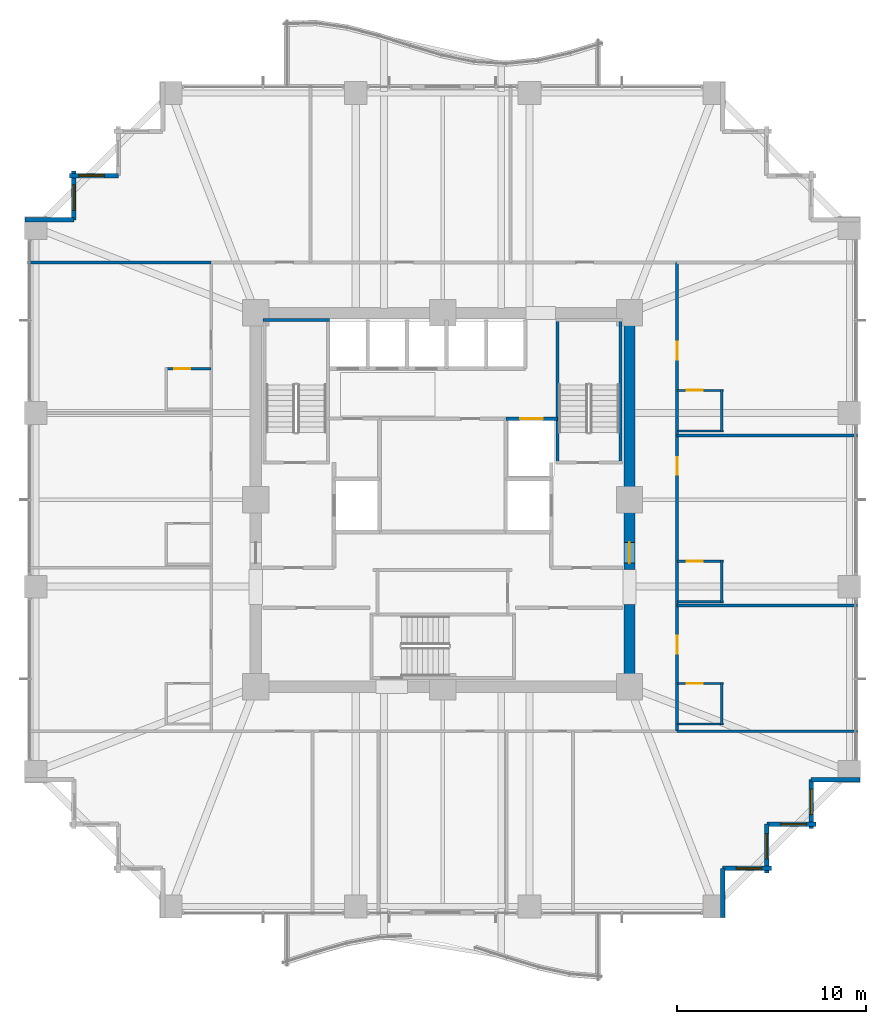
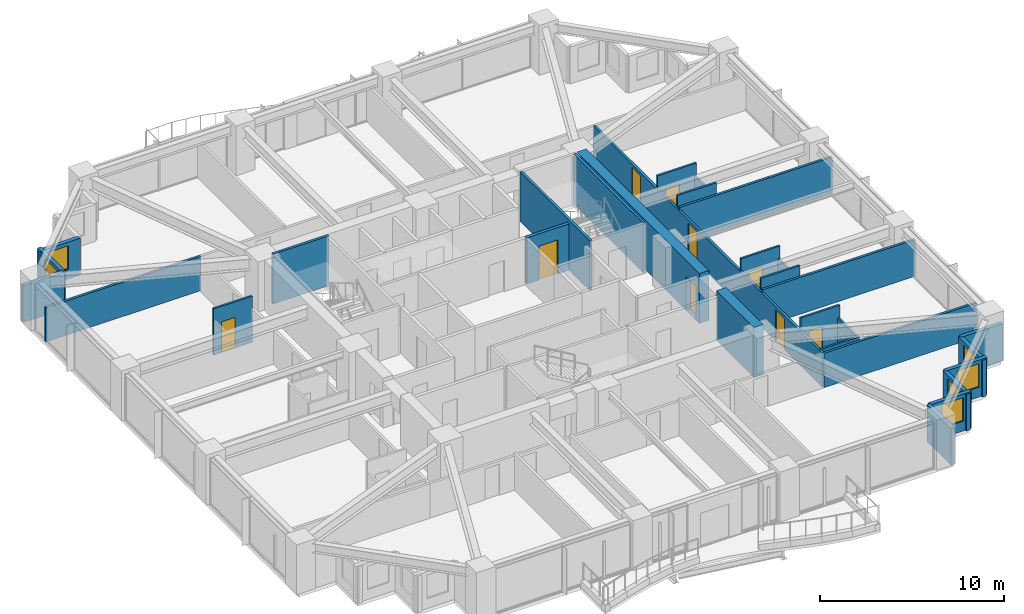
# One storey, part 34 of 38: 30 walls, 9 doors, 6 windows, 15 openings.
"""IFC4 building model written with IfcOpenShell, lengths in metres."""

from ifc_helpers import new_model, si_unit, direction, frame, frame_2d, origin, place, context, subcontext, project, spatial, rectangle, extrude, material, layer, layer_set, type_object, element, fill, save


model = new_model("IFC4")

# Units and contexts
model_context = context("Model", 3, precision=1e-05, world=origin(), true_north=direction((0.0, 1.0)))
body_context = subcontext(model_context, "Body", "Model", "MODEL_VIEW")
ifc_project = project(units=[si_unit("LENGTHUNIT", "METRE"), si_unit("AREAUNIT", "SQUARE_METRE"), si_unit("VOLUMEUNIT", "CUBIC_METRE"), si_unit("PLANEANGLEUNIT", "RADIAN"), si_unit("MASSUNIT", "GRAM", prefix="KILO")], contexts=[model_context])

# Site, building, storey
site_placement = place(None, origin())
site = spatial("IfcSite", under=ifc_project, at=site_placement, CompositionType="ELEMENT")
building_placement = place(site_placement, origin())
building = spatial("IfcBuilding", under=site, at=building_placement, Name="Kolvaren Belvedere", CompositionType="ELEMENT")
storey_placement = place(building_placement, frame((0.0, 0.0, 27.10009765625)))
storey = spatial("IfcBuildingStorey", under=building, at=storey_placement, Name="L07", CompositionType="ELEMENT", Elevation=27.10009765625)

# Wall
ifc_material_1 = material(Name="Concrete C60/75", Category="concrete")
ifc_layer_1 = layer(ifc_material_1, 0.60009765625)
ifc_layer_set_1 = layer_set([ifc_layer_1], Name="Concrete C60/75")
wall_type_1 = type_object("IfcWallType", Name="CW-CORE-600", PredefinedType="SHEAR", material=ifc_layer_set_1)
wall_1_placement = place(storey_placement, frame((9.89990234375, -9.60009765625, 0.0), z_axis=(0.0, 0.0, 1.0), x_axis=(0.0, 1.0, 0.0)))
element("IfcWall", 1, at=wall_1_placement, inside=storey, type_object=wall_type_1, Name="L07 East Core Shear Wall 1", PredefinedType="SHEAR", context=body_context, shape_type="SweptSolid", body=[
    extrude(rectangle(XDim=4.050048828125, YDim=0.60009765625, at=frame_2d((2.02490234375, 0.0))), origin(), (0.0, 0.0, 1.0), 3.2998046875),
])

# Wall, opening, door
wall_2_placement = place(storey_placement, frame((9.89990234375, -3.699951171875, 0.0), z_axis=(0.0, 0.0, 1.0), x_axis=(0.0, 1.0, 0.0)))
wall_2 = element("IfcWall", 2, at=wall_2_placement, inside=storey, type_object=wall_type_1, Name="L07 East Core Shear Wall 2", PredefinedType="SHEAR", context=body_context, shape_type="SweptSolid", body=[
    extrude(rectangle(XDim=13.300048828125, YDim=0.60009765625, at=frame_2d((6.64990234375, 0.0))), origin(), (0.0, 0.0, 1.0), 3.2998046875),
])
opening_1_placement = place(wall_2_placement, frame((0.35009765625, 0.0, 0.0)))
opening_1 = element("IfcOpeningElement", 3, at=opening_1_placement, cuts=wall_2, Name="Opening D-FD90", PredefinedType="OPENING", context=body_context, shape_type="SweptSolid", body=[
    extrude(rectangle(XDim=1.10009765625, YDim=2.199951171875, at=frame_2d((0.550048828125, 1.10009765625))), frame((0.0, 0.31005859375, 0.0), z_axis=(0.0, -1.0, 0.0), x_axis=(1.0, 0.0, 0.0)), (0.0, 0.0, 1.0), 0.6201171875),
])
ifc_material_2 = material(Name="Painted hollow stainless steel", Category="steel")
door_type_1 = type_object("IfcDoorType", Name="DR-FD90-1100", OperationType="NOTDEFINED", PredefinedType="DOOR", material=ifc_material_2)
door_1_placement = place(opening_1_placement, origin())
door_1 = element("IfcDoor", 4, at=door_1_placement, inside=storey, type_object=door_type_1, Name="L07 East Firefighting Lobby Fire Door", OperationType="SINGLE_SWING_RIGHT", OverallHeight=2.199951171875, OverallWidth=1.10009765625, PredefinedType="DOOR", context=body_context, shape_type="SweptSolid", body=[
    extrude(rectangle(XDim=1.10009765625, YDim=2.199951171875, at=frame_2d((0.550048828125, 1.10009765625))), frame((0.0, 0.02490234375, 0.0), z_axis=(0.0, -1.0, 0.0), x_axis=(1.0, 0.0, 0.0)), (0.0, 0.0, 1.0), 0.050048828125),
])
fill(opening_1, door_1)

# Walls
ifc_material_3 = material(Name="Concrete C50/60", Category="concrete")
ifc_layer_2 = layer(ifc_material_3, 0.159912109375)
ifc_layer_set_2 = layer_set([ifc_layer_2], Name="Concrete C50/60")
wall_type_2 = type_object("IfcWallType", Name="CW-STAIR-160", PredefinedType="SHEAR", material=ifc_layer_set_2)
wall_3_placement = place(storey_placement, frame((-9.52001953125, 9.530029296875, 0.0), z_axis=(0.0, 0.0, 1.0), x_axis=(1.0, 0.0, 0.0)))
element("IfcWall", 5, at=wall_3_placement, inside=storey, type_object=wall_type_2, Name="L07 Stair ST-1 North Shear Wall", PredefinedType="SHEAR", context=body_context, shape_type="SweptSolid", body=[
    extrude(rectangle(XDim=3.52001953125, YDim=0.159912109375, at=frame_2d((1.760009765625, 0.0))), origin(), (0.0, 0.0, 1.0), 3.2998046875),
])
for number, where, z_axis, x_axis, name in (
    (6, (6.080078125, 1.969970703125, 0.0), (0.0, 0.0, 1.0), (0.0, 1.0, 0.0), "L07 Stair ST-2 West Shear Wall"),
    (7, (9.429931640625, 1.969970703125, 0.0), (0.0, 0.0, 1.0), (0.0, 1.0, 0.0), "L07 Stair ST-2 East Shear Wall"),
):
    element("IfcWall", number, at=place(storey_placement, frame(where, z_axis=z_axis, x_axis=x_axis)), inside=storey, type_object=wall_type_2, Name=name, PredefinedType="SHEAR", context=body_context, shape_type="SweptSolid", body=[
        extrude(rectangle(XDim=7.56005859375, YDim=0.159912109375, at=frame_2d((3.780029296875, 0.0))), origin(), (0.0, 0.0, 1.0), 3.2998046875),
    ])

# Wall, openings, doors
ifc_material_4 = material(Name="Gypsum fire-rated partition assembly", Category="gypsum")
ifc_layer_3 = layer(ifc_material_4, 0.14990234375)
ifc_layer_set_3 = layer_set([ifc_layer_3], Name="Gypsum fire-rated partition assembly")
wall_type_3 = type_object("IfcWallType", Name="WL-CORR-150", PredefinedType="PARTITIONING", material=ifc_layer_set_3)
wall_4_placement = place(storey_placement, frame((12.419921875, -12.260009765625, 0.0), z_axis=(0.0, 0.0, 1.0), x_axis=(0.0, 1.0, 0.0)))
wall_4 = element("IfcWall", 8, at=wall_4_placement, inside=storey, type_object=wall_type_3, Name="L07 East Corridor Wall", PredefinedType="PARTITIONING", context=body_context, shape_type="SweptSolid", body=[
    extrude(rectangle(XDim=24.840087890625, YDim=0.14990234375, at=frame_2d((12.419921875, 0.0))), origin(), (0.0, 0.0, 1.0), 2.27197265625),
])
opening_2_placement = place(wall_4_placement, frame((4.098876953125, 0.0, 0.0)))
opening_2 = element("IfcOpeningElement", 9, at=opening_2_placement, cuts=wall_4, Name="Opening D-FD60", PredefinedType="OPENING", context=body_context, shape_type="SweptSolid", body=[
    extrude(rectangle(XDim=0.949951171875, YDim=2.06005859375, at=frame_2d((0.47509765625, 1.030029296875))), frame((0.0, 0.0849609375, 0.0), z_axis=(0.0, -1.0, 0.0), x_axis=(1.0, 0.0, 0.0)), (0.0, 0.0, 1.0), 0.169921875),
])
opening_3_placement = place(wall_4_placement, frame((13.576904296875, 0.0, 0.0)))
opening_3 = element("IfcOpeningElement", 10, at=opening_3_placement, cuts=wall_4, Name="Opening D-FD60", PredefinedType="OPENING", context=body_context, shape_type="SweptSolid", body=[
    extrude(rectangle(XDim=0.949951171875, YDim=2.06005859375, at=frame_2d((0.47509765625, 1.030029296875))), frame((0.0, 0.0849609375, 0.0), z_axis=(0.0, -1.0, 0.0), x_axis=(1.0, 0.0, 0.0)), (0.0, 0.0, 1.0), 0.169921875),
])
opening_4_placement = place(wall_4_placement, frame((19.69189453125, 0.0, 0.0)))
opening_4 = element("IfcOpeningElement", 11, at=opening_4_placement, cuts=wall_4, Name="Opening D-FD60", PredefinedType="OPENING", context=body_context, shape_type="SweptSolid", body=[
    extrude(rectangle(XDim=0.949951171875, YDim=2.06005859375, at=frame_2d((0.47509765625, 1.030029296875))), frame((0.0, 0.0849609375, 0.0), z_axis=(0.0, -1.0, 0.0), x_axis=(1.0, 0.0, 0.0)), (0.0, 0.0, 1.0), 0.169921875),
])
ifc_material_5 = material(Name="Acoustic white-oak fire door leaf", Category="timber")
door_type_2 = type_object("IfcDoorType", Name="DR-FD60-950", OperationType="NOTDEFINED", PredefinedType="DOOR", material=ifc_material_5)
door_2_placement = place(opening_2_placement, origin())
door_2 = element("IfcDoor", 12, at=door_2_placement, inside=storey, type_object=door_type_2, Name="L07 Panoramic Corner Hospitality Suite 706 Entry Door", OperationType="SINGLE_SWING_LEFT", OverallHeight=2.06005859375, OverallWidth=0.949951171875, PredefinedType="DOOR", context=body_context, shape_type="SweptSolid", body=[
    extrude(rectangle(XDim=0.949951171875, YDim=2.06005859375, at=frame_2d((0.47509765625, 1.030029296875))), frame((0.0, 0.02490234375, 0.0), z_axis=(0.0, -1.0, 0.0), x_axis=(1.0, 0.0, 0.0)), (0.0, 0.0, 1.0), 0.050048828125),
])
fill(opening_2, door_2)
door_3_placement = place(opening_3_placement, origin())
door_3 = element("IfcDoor", 13, at=door_3_placement, inside=storey, type_object=door_type_2, Name="L07 Panoramic Corner Hospitality Suite 707 Entry Door", OperationType="SINGLE_SWING_LEFT", OverallHeight=2.06005859375, OverallWidth=0.949951171875, PredefinedType="DOOR", context=body_context, shape_type="SweptSolid", body=[
    extrude(rectangle(XDim=0.949951171875, YDim=2.06005859375, at=frame_2d((0.47509765625, 1.030029296875))), frame((0.0, 0.02490234375, 0.0), z_axis=(0.0, -1.0, 0.0), x_axis=(1.0, 0.0, 0.0)), (0.0, 0.0, 1.0), 0.050048828125),
])
fill(opening_3, door_3)
door_4_placement = place(opening_4_placement, origin())
door_4 = element("IfcDoor", 14, at=door_4_placement, inside=storey, type_object=door_type_2, Name="L07 Panoramic Corner Hospitality Suite 708 Entry Door", OperationType="SINGLE_SWING_LEFT", OverallHeight=2.06005859375, OverallWidth=0.949951171875, PredefinedType="DOOR", context=body_context, shape_type="SweptSolid", body=[
    extrude(rectangle(XDim=0.949951171875, YDim=2.06005859375, at=frame_2d((0.47509765625, 1.030029296875))), frame((0.0, 0.02490234375, 0.0), z_axis=(0.0, -1.0, 0.0), x_axis=(1.0, 0.0, 0.0)), (0.0, 0.0, 1.0), 0.050048828125),
])
fill(opening_4, door_4)

# Wall
ifc_material_6 = material(Name="Insulated pale-metal facade wall assembly", Category="aluminium")
ifc_layer_4 = layer(ifc_material_6, 0.239990234375)
ifc_layer_set_4 = layer_set([ifc_layer_4], Name="Insulated pale-metal facade wall assembly")
wall_type_4 = type_object("IfcWallType", Name="WL-EXT-240", PredefinedType="STANDARD", material=ifc_layer_set_4)
wall_5_placement = place(storey_placement, frame((14.830078125, -19.530029296875, 0.0), z_axis=(0.0, 0.0, 1.0), x_axis=(0.0, -1.0, 0.0)))
element("IfcWall", 15, at=wall_5_placement, inside=storey, type_object=wall_type_4, Name="L07 Serrated Corner Facade Wall 2", PredefinedType="STANDARD", context=body_context, shape_type="SweptSolid", body=[
    extrude(rectangle(XDim=2.590087890625, YDim=0.239990234375, at=frame_2d((1.294921875, 0.0))), origin(), (0.0, 0.0, 1.0), 2.43896484375),
])

# Wall, opening, window
wall_6_placement = place(storey_placement, frame((17.419921875, -19.530029296875, 0.0), z_axis=(0.0, 0.0, 1.0), x_axis=(-1.0, 0.0, 0.0)))
wall_6 = element("IfcWall", 16, at=wall_6_placement, inside=storey, type_object=wall_type_4, Name="L07 Serrated Corner Facade Wall 3", PredefinedType="STANDARD", context=body_context, shape_type="SweptSolid", body=[
    extrude(rectangle(XDim=2.58984375, YDim=0.239990234375, at=frame_2d((1.294921875, 0.0))), origin(), (0.0, 0.0, 1.0), 2.43896484375),
])
opening_5_placement = place(wall_6_placement, frame((0.5, 0.0, 0.64990234375)))
opening_5 = element("IfcOpeningElement", 17, at=opening_5_placement, cuts=wall_6, Name="Opening W-1350", PredefinedType="OPENING", context=body_context, shape_type="SweptSolid", body=[
    extrude(rectangle(XDim=1.35009765625, YDim=1.550048828125, at=frame_2d((0.675048828125, 0.77490234375))), frame((0.0, 0.1298828125, 0.0), z_axis=(0.0, -1.0, 0.0), x_axis=(1.0, 0.0, 0.0)), (0.0, 0.0, 1.0), 0.260009765625),
])
ifc_material_7 = material(Name="Low-iron triple insulated glass", Category="glass")
window_type = type_object("IfcWindowType", Name="WN-CORN-1350", PartitioningType="SINGLE_PANEL", PredefinedType="WINDOW", material=ifc_material_7)
window_1_placement = place(opening_5_placement, origin())
window_1 = element("IfcWindow", 18, at=window_1_placement, inside=storey, type_object=window_type, Name="L07 Serrated Corner Vision Window 3", OverallHeight=1.550048828125, OverallWidth=1.35009765625, PartitioningType="SINGLE_PANEL", PredefinedType="WINDOW", context=body_context, shape_type="SweptSolid", body=[
    extrude(rectangle(XDim=1.35009765625, YDim=1.550048828125, at=frame_2d((0.675048828125, 0.77490234375))), frame((0.0, 0.030029296875, 0.0), z_axis=(0.0, -1.0, 0.0), x_axis=(1.0, 0.0, 0.0)), (0.0, 0.0, 1.0), 0.06005859375),
])
fill(opening_5, window_1)

wall_7_placement = place(storey_placement, frame((17.179931640625, -17.179931640625, 0.0), z_axis=(0.0, 0.0, 1.0), x_axis=(0.0, -1.0, 0.0)))
wall_7 = element("IfcWall", 19, at=wall_7_placement, inside=storey, type_object=wall_type_4, Name="L07 Serrated Corner Facade Wall 4", PredefinedType="STANDARD", context=body_context, shape_type="SweptSolid", body=[
    extrude(rectangle(XDim=2.590087890625, YDim=0.239990234375, at=frame_2d((1.294921875, 0.0))), origin(), (0.0, 0.0, 1.0), 2.43896484375),
])
opening_6_placement = place(wall_7_placement, frame((0.5, 0.0, 0.64990234375)))
opening_6 = element("IfcOpeningElement", 20, at=opening_6_placement, cuts=wall_7, Name="Opening W-1350", PredefinedType="OPENING", context=body_context, shape_type="SweptSolid", body=[
    extrude(rectangle(XDim=1.35009765625, YDim=1.550048828125, at=frame_2d((0.675048828125, 0.77490234375))), frame((0.0, 0.1298828125, 0.0), z_axis=(0.0, -1.0, 0.0), x_axis=(1.0, 0.0, 0.0)), (0.0, 0.0, 1.0), 0.260009765625),
])
window_2_placement = place(opening_6_placement, origin())
window_2 = element("IfcWindow", 21, at=window_2_placement, inside=storey, type_object=window_type, Name="L07 Serrated Corner Vision Window 4", OverallHeight=1.550048828125, OverallWidth=1.35009765625, PartitioningType="SINGLE_PANEL", PredefinedType="WINDOW", context=body_context, shape_type="SweptSolid", body=[
    extrude(rectangle(XDim=1.35009765625, YDim=1.550048828125, at=frame_2d((0.675048828125, 0.77490234375))), frame((0.0, 0.030029296875, 0.0), z_axis=(0.0, -1.0, 0.0), x_axis=(1.0, 0.0, 0.0)), (0.0, 0.0, 1.0), 0.06005859375),
])
fill(opening_6, window_2)

wall_8_placement = place(storey_placement, frame((19.77001953125, -17.179931640625, 0.0), z_axis=(0.0, 0.0, 1.0), x_axis=(-1.0, 0.0, 0.0)))
wall_8 = element("IfcWall", 22, at=wall_8_placement, inside=storey, type_object=wall_type_4, Name="L07 Serrated Corner Facade Wall 5", PredefinedType="STANDARD", context=body_context, shape_type="SweptSolid", body=[
    extrude(rectangle(XDim=2.590087890625, YDim=0.239990234375, at=frame_2d((1.294921875, 0.0))), origin(), (0.0, 0.0, 1.0), 2.43896484375),
])
opening_7_placement = place(wall_8_placement, frame((0.5, 0.0, 0.64990234375)))
opening_7 = element("IfcOpeningElement", 23, at=opening_7_placement, cuts=wall_8, Name="Opening W-1350", PredefinedType="OPENING", context=body_context, shape_type="SweptSolid", body=[
    extrude(rectangle(XDim=1.35009765625, YDim=1.550048828125, at=frame_2d((0.675048828125, 0.77490234375))), frame((0.0, 0.1298828125, 0.0), z_axis=(0.0, -1.0, 0.0), x_axis=(1.0, 0.0, 0.0)), (0.0, 0.0, 1.0), 0.260009765625),
])
window_3_placement = place(opening_7_placement, origin())
window_3 = element("IfcWindow", 24, at=window_3_placement, inside=storey, type_object=window_type, Name="L07 Serrated Corner Vision Window 5", OverallHeight=1.550048828125, OverallWidth=1.35009765625, PartitioningType="SINGLE_PANEL", PredefinedType="WINDOW", context=body_context, shape_type="SweptSolid", body=[
    extrude(rectangle(XDim=1.35009765625, YDim=1.550048828125, at=frame_2d((0.675048828125, 0.77490234375))), frame((0.0, 0.030029296875, 0.0), z_axis=(0.0, -1.0, 0.0), x_axis=(1.0, 0.0, 0.0)), (0.0, 0.0, 1.0), 0.06005859375),
])
fill(opening_7, window_3)

wall_9_placement = place(storey_placement, frame((19.530029296875, -14.830078125, 0.0), z_axis=(0.0, 0.0, 1.0), x_axis=(0.0, -1.0, 0.0)))
wall_9 = element("IfcWall", 25, at=wall_9_placement, inside=storey, type_object=wall_type_4, Name="L07 Serrated Corner Facade Wall 6", PredefinedType="STANDARD", context=body_context, shape_type="SweptSolid", body=[
    extrude(rectangle(XDim=2.58984375, YDim=0.239990234375, at=frame_2d((1.294921875, 0.0))), origin(), (0.0, 0.0, 1.0), 2.43896484375),
])
opening_8_placement = place(wall_9_placement, frame((0.5, 0.0, 0.64990234375)))
opening_8 = element("IfcOpeningElement", 26, at=opening_8_placement, cuts=wall_9, Name="Opening W-1350", PredefinedType="OPENING", context=body_context, shape_type="SweptSolid", body=[
    extrude(rectangle(XDim=1.35009765625, YDim=1.550048828125, at=frame_2d((0.675048828125, 0.77490234375))), frame((0.0, 0.1298828125, 0.0), z_axis=(0.0, -1.0, 0.0), x_axis=(1.0, 0.0, 0.0)), (0.0, 0.0, 1.0), 0.260009765625),
])
window_4_placement = place(opening_8_placement, origin())
window_4 = element("IfcWindow", 27, at=window_4_placement, inside=storey, type_object=window_type, Name="L07 Serrated Corner Vision Window 6", OverallHeight=1.550048828125, OverallWidth=1.35009765625, PartitioningType="SINGLE_PANEL", PredefinedType="WINDOW", context=body_context, shape_type="SweptSolid", body=[
    extrude(rectangle(XDim=1.35009765625, YDim=1.550048828125, at=frame_2d((0.675048828125, 0.77490234375))), frame((0.0, 0.030029296875, 0.0), z_axis=(0.0, -1.0, 0.0), x_axis=(1.0, 0.0, 0.0)), (0.0, 0.0, 1.0), 0.06005859375),
])
fill(opening_8, window_4)

# Wall
wall_10_placement = place(storey_placement, frame((22.1201171875, -14.830078125, 0.0), z_axis=(0.0, 0.0, 1.0), x_axis=(-1.0, 0.0, 0.0)))
element("IfcWall", 28, at=wall_10_placement, inside=storey, type_object=wall_type_4, Name="L07 Serrated Corner Facade Wall 7", PredefinedType="STANDARD", context=body_context, shape_type="SweptSolid", body=[
    extrude(rectangle(XDim=2.590087890625, YDim=0.239990234375, at=frame_2d((1.294921875, 0.0))), origin(), (0.0, 0.0, 1.0), 2.43896484375),
])

# Wall, opening, window
wall_11_placement = place(storey_placement, frame((-19.77001953125, 17.179931640625, 0.0), z_axis=(0.0, 0.0, 1.0), x_axis=(1.0, 0.0, 0.0)))
wall_11 = element("IfcWall", 29, at=wall_11_placement, inside=storey, type_object=wall_type_4, Name="L07 Serrated Corner Facade Wall 19", PredefinedType="STANDARD", context=body_context, shape_type="SweptSolid", body=[
    extrude(rectangle(XDim=2.590087890625, YDim=0.239990234375, at=frame_2d((1.294921875, 0.0))), origin(), (0.0, 0.0, 1.0), 2.43896484375),
])
opening_9_placement = place(wall_11_placement, frame((0.5, 0.0, 0.64990234375)))
opening_9 = element("IfcOpeningElement", 30, at=opening_9_placement, cuts=wall_11, Name="Opening W-1350", PredefinedType="OPENING", context=body_context, shape_type="SweptSolid", body=[
    extrude(rectangle(XDim=1.35009765625, YDim=1.550048828125, at=frame_2d((0.675048828125, 0.77490234375))), frame((0.0, 0.1298828125, 0.0), z_axis=(0.0, -1.0, 0.0), x_axis=(1.0, 0.0, 0.0)), (0.0, 0.0, 1.0), 0.260009765625),
])
window_5_placement = place(opening_9_placement, origin())
window_5 = element("IfcWindow", 31, at=window_5_placement, inside=storey, type_object=window_type, Name="L07 Serrated Corner Vision Window 19", OverallHeight=1.550048828125, OverallWidth=1.35009765625, PartitioningType="SINGLE_PANEL", PredefinedType="WINDOW", context=body_context, shape_type="SweptSolid", body=[
    extrude(rectangle(XDim=1.35009765625, YDim=1.550048828125, at=frame_2d((0.675048828125, 0.77490234375))), frame((0.0, 0.030029296875, 0.0), z_axis=(0.0, -1.0, 0.0), x_axis=(1.0, 0.0, 0.0)), (0.0, 0.0, 1.0), 0.06005859375),
])
fill(opening_9, window_5)

wall_12_placement = place(storey_placement, frame((-19.530029296875, 14.830078125, 0.0), z_axis=(0.0, 0.0, 1.0), x_axis=(0.0, 1.0, 0.0)))
wall_12 = element("IfcWall", 32, at=wall_12_placement, inside=storey, type_object=wall_type_4, Name="L07 Serrated Corner Facade Wall 20", PredefinedType="STANDARD", context=body_context, shape_type="SweptSolid", body=[
    extrude(rectangle(XDim=2.58984375, YDim=0.239990234375, at=frame_2d((1.294921875, 0.0))), origin(), (0.0, 0.0, 1.0), 2.43896484375),
])
opening_10_placement = place(wall_12_placement, frame((0.5, 0.0, 0.64990234375)))
opening_10 = element("IfcOpeningElement", 33, at=opening_10_placement, cuts=wall_12, Name="Opening W-1350", PredefinedType="OPENING", context=body_context, shape_type="SweptSolid", body=[
    extrude(rectangle(XDim=1.35009765625, YDim=1.550048828125, at=frame_2d((0.675048828125, 0.77490234375))), frame((0.0, 0.1298828125, 0.0), z_axis=(0.0, -1.0, 0.0), x_axis=(1.0, 0.0, 0.0)), (0.0, 0.0, 1.0), 0.260009765625),
])
window_6_placement = place(opening_10_placement, origin())
window_6 = element("IfcWindow", 34, at=window_6_placement, inside=storey, type_object=window_type, Name="L07 Serrated Corner Vision Window 20", OverallHeight=1.550048828125, OverallWidth=1.35009765625, PartitioningType="SINGLE_PANEL", PredefinedType="WINDOW", context=body_context, shape_type="SweptSolid", body=[
    extrude(rectangle(XDim=1.35009765625, YDim=1.550048828125, at=frame_2d((0.675048828125, 0.77490234375))), frame((0.0, 0.030029296875, 0.0), z_axis=(0.0, -1.0, 0.0), x_axis=(1.0, 0.0, 0.0)), (0.0, 0.0, 1.0), 0.06005859375),
])
fill(opening_10, window_6)

# Walls
wall_13_placement = place(storey_placement, frame((-22.1201171875, 14.830078125, 0.0), z_axis=(0.0, 0.0, 1.0), x_axis=(1.0, 0.0, 0.0)))
element("IfcWall", 35, at=wall_13_placement, inside=storey, type_object=wall_type_4, Name="L07 Serrated Corner Facade Wall 21", PredefinedType="STANDARD", context=body_context, shape_type="SweptSolid", body=[
    extrude(rectangle(XDim=2.590087890625, YDim=0.239990234375, at=frame_2d((1.294921875, 0.0))), origin(), (0.0, 0.0, 1.0), 2.43896484375),
])
ifc_material_8 = material(Name="Gypsum acoustic partition assembly", Category="gypsum")
ifc_layer_5 = layer(ifc_material_8, 0.14990234375)
ifc_layer_set_5 = layer_set([ifc_layer_5], Name="Gypsum acoustic partition assembly")
wall_type_5 = type_object("IfcWallType", Name="WL-PART-150", PredefinedType="PARTITIONING", material=ifc_layer_set_5)
wall_14_placement = place(storey_placement, frame((12.419921875, -12.260009765625, 0.0), z_axis=(0.0, 0.0, 1.0), x_axis=(1.0, 0.0, 0.0)))
element("IfcWall", 36, at=wall_14_placement, inside=storey, type_object=wall_type_5, Name="L07 Wing Divider PW-L07-QSE", PredefinedType="PARTITIONING", context=body_context, shape_type="SweptSolid", body=[
    extrude(rectangle(XDim=9.56005859375, YDim=0.14990234375, at=frame_2d((4.780029296875, 0.0))), origin(), (0.0, 0.0, 1.0), 2.27197265625),
])
wall_15_placement = place(storey_placement, frame((-21.97998046875, 12.580078125, 0.0), z_axis=(0.0, 0.0, 1.0), x_axis=(1.0, 0.0, 0.0)))
element("IfcWall", 37, at=wall_15_placement, inside=storey, type_object=wall_type_5, Name="L07 Wing Divider PW-L07-QNW", PredefinedType="PARTITIONING", context=body_context, shape_type="SweptSolid", body=[
    extrude(rectangle(XDim=9.719970703125, YDim=0.14990234375, at=frame_2d((4.85986328125, 0.0))), origin(), (0.0, 0.0, 1.0), 2.27197265625),
])
for number, where, z_axis, x_axis, name in (
    (38, (12.419921875, -5.60009765625, 0.0), (0.0, 0.0, 1.0), (1.0, 0.0, 0.0), "L07 East Suite Demising Wall 1"),
    (39, (12.419921875, 3.39990234375, 0.0), (0.0, 0.0, 1.0), (1.0, 0.0, 0.0), "L07 East Suite Demising Wall 2"),
):
    element("IfcWall", number, at=place(storey_placement, frame(where, z_axis=z_axis, x_axis=x_axis)), inside=storey, type_object=wall_type_5, Name=name, PredefinedType="PARTITIONING", context=body_context, shape_type="SweptSolid", body=[
        extrude(rectangle(XDim=9.56005859375, YDim=0.14990234375, at=frame_2d((4.780029296875, 0.0))), origin(), (0.0, 0.0, 1.0), 2.428955078125),
    ])

# Wall, opening, door
ifc_material_9 = material(Name="Concrete C50/60", Category="concrete")
ifc_layer_6 = layer(ifc_material_9, 0.199951171875)
ifc_layer_set_6 = layer_set([ifc_layer_6], Name="Concrete C50/60")
wall_type_6 = type_object("IfcWallType", Name="WL-SHAFT-200", PredefinedType="SOLIDWALL", material=ifc_layer_set_6)
wall_16_placement = place(storey_placement, frame((3.35009765625, 4.300048828125, 0.0), z_axis=(0.0, 0.0, 1.0), x_axis=(1.0, 0.0, 0.0)))
wall_16 = element("IfcWall", 40, at=wall_16_placement, inside=storey, type_object=wall_type_6, Name="L07 Service Lift SV1 Front Wall", PredefinedType="SOLIDWALL", context=body_context, shape_type="SweptSolid", body=[
    extrude(rectangle(XDim=2.72998046875, YDim=0.199951171875, at=frame_2d((1.364990234375, 0.0))), origin(), (0.0, 0.0, 1.0), 3.059814453125),
])
opening_11_placement = place(wall_16_placement, frame((0.75, 0.0, 0.0)))
opening_11 = element("IfcOpeningElement", 41, at=opening_11_placement, cuts=wall_16, Name="Opening LD-12", PredefinedType="OPENING", context=body_context, shape_type="SweptSolid", body=[
    extrude(rectangle(XDim=1.199951171875, YDim=2.25, at=frame_2d((0.60009765625, 1.125))), frame((0.0, 0.10986328125, 0.0), z_axis=(0.0, -1.0, 0.0), x_axis=(1.0, 0.0, 0.0)), (0.0, 0.0, 1.0), 0.219970703125),
])
ifc_material_10 = material(Name="Brushed stainless steel", Category="steel")
door_type_3 = type_object("IfcDoorType", Name="DR-LIFT-1200", OperationType="DOUBLE_DOOR_SLIDING", PredefinedType="DOOR", material=ifc_material_10)
door_5_placement = place(opening_11_placement, origin())
door_5 = element("IfcDoor", 42, at=door_5_placement, inside=storey, type_object=door_type_3, Name="L07 Service Lift SV1 Landing Door", OperationType="DOUBLE_DOOR_SLIDING", OverallHeight=2.25, OverallWidth=1.199951171875, PredefinedType="DOOR", context=body_context, shape_type="SweptSolid", body=[
    extrude(rectangle(XDim=1.199951171875, YDim=2.25, at=frame_2d((0.60009765625, 1.125))), frame((0.0, 0.02490234375, 0.0), z_axis=(0.0, -1.0, 0.0), x_axis=(1.0, 0.0, 0.0)), (0.0, 0.0, 1.0), 0.050048828125),
])
fill(opening_11, door_5)

ifc_material_11 = material(Name="Moisture-resistant gypsum partition", Category="gypsum")
ifc_layer_7 = layer(ifc_material_11, 0.125)
ifc_layer_set_7 = layer_set([ifc_layer_7], Name="Moisture-resistant gypsum partition")
wall_type_7 = type_object("IfcWallType", Name="WL-WET-125", PredefinedType="PARTITIONING", material=ifc_layer_set_7)
wall_17_placement = place(storey_placement, frame((12.43505859375, -9.73095703125, 0.0), z_axis=(0.0, 0.0, 1.0), x_axis=(1.0, 0.0, 0.0)))
wall_17 = element("IfcWall", 43, at=wall_17_placement, inside=storey, type_object=wall_type_7, Name="L07 Bathroom Partition PW-L07-BTH-6-N", PredefinedType="PARTITIONING", context=body_context, shape_type="SweptSolid", body=[
    extrude(rectangle(XDim=2.43994140625, YDim=0.125, at=frame_2d((1.219970703125, 0.0))), origin(), (0.0, 0.0, 1.0), 3.059814453125),
])
opening_12_placement = place(wall_17_placement, frame((0.5, 0.0, 0.0)))
opening_12 = element("IfcOpeningElement", 44, at=opening_12_placement, cuts=wall_17, Name="Opening D-BTH85", PredefinedType="OPENING", context=body_context, shape_type="SweptSolid", body=[
    extrude(rectangle(XDim=0.85009765625, YDim=2.030029296875, at=frame_2d((0.425048828125, 1.01513671875))), frame((0.0, 0.072509765625, 0.0), z_axis=(0.0, -1.0, 0.0), x_axis=(1.0, 0.0, 0.0)), (0.0, 0.0, 1.0), 0.14501953125),
])
ifc_material_12 = material(Name="Moisture-sealed Pacific white oak", Category="timber")
door_type_4 = type_object("IfcDoorType", Name="DR-BATH-850", OperationType="NOTDEFINED", PredefinedType="DOOR", material=ifc_material_12)
door_6_placement = place(opening_12_placement, origin())
door_6 = element("IfcDoor", 45, at=door_6_placement, inside=storey, type_object=door_type_4, Name="L07 En-Suite Bathroom 706 Door", OperationType="SINGLE_SWING_RIGHT", OverallHeight=2.030029296875, OverallWidth=0.85009765625, PredefinedType="DOOR", context=body_context, shape_type="SweptSolid", body=[
    extrude(rectangle(XDim=0.85009765625, YDim=2.030029296875, at=frame_2d((0.425048828125, 1.01513671875))), frame((0.0, 0.02490234375, 0.0), z_axis=(0.0, -1.0, 0.0), x_axis=(1.0, 0.0, 0.0)), (0.0, 0.0, 1.0), 0.050048828125),
])
fill(opening_12, door_6)

# Walls
wall_18_placement = place(storey_placement, frame((14.794921875, -11.94091796875, 0.0), z_axis=(0.0, 0.0, 1.0), x_axis=(0.0, 1.0, 0.0)))
element("IfcWall", 46, at=wall_18_placement, inside=storey, type_object=wall_type_7, Name="L07 Bathroom Partition PW-L07-BTH-6-V", PredefinedType="PARTITIONING", context=body_context, shape_type="SweptSolid", body=[
    extrude(rectangle(XDim=2.27001953125, YDim=0.125, at=frame_2d((1.135009765625, 0.0))), origin(), (0.0, 0.0, 1.0), 2.27197265625),
])
wall_19_placement = place(storey_placement, frame((12.43505859375, -11.881103515625, 0.0), z_axis=(0.0, 0.0, 1.0), x_axis=(1.0, 0.0, 0.0)))
element("IfcWall", 47, at=wall_19_placement, inside=storey, type_object=wall_type_7, Name="L07 Bathroom Partition PW-L07-BTH-6-S", PredefinedType="PARTITIONING", context=body_context, shape_type="SweptSolid", body=[
    extrude(rectangle(XDim=2.43994140625, YDim=0.125, at=frame_2d((1.219970703125, 0.0))), origin(), (0.0, 0.0, 1.0), 2.27197265625),
])

# Wall, opening, door
wall_20_placement = place(storey_placement, frame((12.43505859375, -3.2548828125, 0.0), z_axis=(0.0, 0.0, 1.0), x_axis=(1.0, 0.0, 0.0)))
wall_20 = element("IfcWall", 48, at=wall_20_placement, inside=storey, type_object=wall_type_7, Name="L07 Bathroom Partition PW-L07-BTH-7-N", PredefinedType="PARTITIONING", context=body_context, shape_type="SweptSolid", body=[
    extrude(rectangle(XDim=2.43994140625, YDim=0.125, at=frame_2d((1.219970703125, 0.0))), origin(), (0.0, 0.0, 1.0), 3.059814453125),
])
opening_13_placement = place(wall_20_placement, frame((0.5, 0.0, 0.0)))
opening_13 = element("IfcOpeningElement", 49, at=opening_13_placement, cuts=wall_20, Name="Opening D-BTH85", PredefinedType="OPENING", context=body_context, shape_type="SweptSolid", body=[
    extrude(rectangle(XDim=0.85009765625, YDim=2.030029296875, at=frame_2d((0.425048828125, 1.01513671875))), frame((0.0, 0.072509765625, 0.0), z_axis=(0.0, -1.0, 0.0), x_axis=(1.0, 0.0, 0.0)), (0.0, 0.0, 1.0), 0.14501953125),
])
door_7_placement = place(opening_13_placement, origin())
door_7 = element("IfcDoor", 50, at=door_7_placement, inside=storey, type_object=door_type_4, Name="L07 En-Suite Bathroom 707 Door", OperationType="SINGLE_SWING_RIGHT", OverallHeight=2.030029296875, OverallWidth=0.85009765625, PredefinedType="DOOR", context=body_context, shape_type="SweptSolid", body=[
    extrude(rectangle(XDim=0.85009765625, YDim=2.030029296875, at=frame_2d((0.425048828125, 1.01513671875))), frame((0.0, 0.02490234375, 0.0), z_axis=(0.0, -1.0, 0.0), x_axis=(1.0, 0.0, 0.0)), (0.0, 0.0, 1.0), 0.050048828125),
])
fill(opening_13, door_7)

# Walls
wall_21_placement = place(storey_placement, frame((14.794921875, -5.465087890625, 0.0), z_axis=(0.0, 0.0, 1.0), x_axis=(0.0, 1.0, 0.0)))
element("IfcWall", 51, at=wall_21_placement, inside=storey, type_object=wall_type_7, Name="L07 Bathroom Partition PW-L07-BTH-7-V", PredefinedType="PARTITIONING", context=body_context, shape_type="SweptSolid", body=[
    extrude(rectangle(XDim=2.27001953125, YDim=0.125, at=frame_2d((1.135009765625, 0.0))), origin(), (0.0, 0.0, 1.0), 2.27197265625),
])
wall_22_placement = place(storey_placement, frame((12.43505859375, -5.405029296875, 0.0), z_axis=(0.0, 0.0, 1.0), x_axis=(1.0, 0.0, 0.0)))
element("IfcWall", 52, at=wall_22_placement, inside=storey, type_object=wall_type_7, Name="L07 Bathroom Partition PW-L07-BTH-7-S", PredefinedType="PARTITIONING", context=body_context, shape_type="SweptSolid", body=[
    extrude(rectangle(XDim=2.43994140625, YDim=0.125, at=frame_2d((1.219970703125, 0.0))), origin(), (0.0, 0.0, 1.0), 3.059814453125),
])

# Wall, opening, door
wall_23_placement = place(storey_placement, frame((12.43505859375, 5.7939453125, 0.0), z_axis=(0.0, 0.0, 1.0), x_axis=(1.0, 0.0, 0.0)))
wall_23 = element("IfcWall", 53, at=wall_23_placement, inside=storey, type_object=wall_type_7, Name="L07 Bathroom Partition PW-L07-BTH-8-N", PredefinedType="PARTITIONING", context=body_context, shape_type="SweptSolid", body=[
    extrude(rectangle(XDim=2.43994140625, YDim=0.125, at=frame_2d((1.219970703125, 0.0))), origin(), (0.0, 0.0, 1.0), 3.059814453125),
])
opening_14_placement = place(wall_23_placement, frame((0.5, 0.0, 0.0)))
opening_14 = element("IfcOpeningElement", 54, at=opening_14_placement, cuts=wall_23, Name="Opening D-BTH85", PredefinedType="OPENING", context=body_context, shape_type="SweptSolid", body=[
    extrude(rectangle(XDim=0.85009765625, YDim=2.030029296875, at=frame_2d((0.425048828125, 1.01513671875))), frame((0.0, 0.072509765625, 0.0), z_axis=(0.0, -1.0, 0.0), x_axis=(1.0, 0.0, 0.0)), (0.0, 0.0, 1.0), 0.14501953125),
])
door_8_placement = place(opening_14_placement, origin())
door_8 = element("IfcDoor", 55, at=door_8_placement, inside=storey, type_object=door_type_4, Name="L07 En-Suite Bathroom 708 Door", OperationType="SINGLE_SWING_RIGHT", OverallHeight=2.030029296875, OverallWidth=0.85009765625, PredefinedType="DOOR", context=body_context, shape_type="SweptSolid", body=[
    extrude(rectangle(XDim=0.85009765625, YDim=2.030029296875, at=frame_2d((0.425048828125, 1.01513671875))), frame((0.0, 0.02490234375, 0.0), z_axis=(0.0, -1.0, 0.0), x_axis=(1.0, 0.0, 0.0)), (0.0, 0.0, 1.0), 0.050048828125),
])
fill(opening_14, door_8)

# Walls
wall_24_placement = place(storey_placement, frame((14.794921875, 3.583984375, 0.0), z_axis=(0.0, 0.0, 1.0), x_axis=(0.0, 1.0, 0.0)))
element("IfcWall", 56, at=wall_24_placement, inside=storey, type_object=wall_type_7, Name="L07 Bathroom Partition PW-L07-BTH-8-V", PredefinedType="PARTITIONING", context=body_context, shape_type="SweptSolid", body=[
    extrude(rectangle(XDim=2.27001953125, YDim=0.125, at=frame_2d((1.135009765625, 0.0))), origin(), (0.0, 0.0, 1.0), 2.27197265625),
])
wall_25_placement = place(storey_placement, frame((12.43505859375, 3.64404296875, 0.0), z_axis=(0.0, 0.0, 1.0), x_axis=(1.0, 0.0, 0.0)))
element("IfcWall", 57, at=wall_25_placement, inside=storey, type_object=wall_type_7, Name="L07 Bathroom Partition PW-L07-BTH-8-S", PredefinedType="PARTITIONING", context=body_context, shape_type="SweptSolid", body=[
    extrude(rectangle(XDim=2.43994140625, YDim=0.125, at=frame_2d((1.219970703125, 0.0))), origin(), (0.0, 0.0, 1.0), 3.059814453125),
])

# Wall, opening, door
wall_26_placement = place(storey_placement, frame((-14.715087890625, 6.945068359375, 0.0), z_axis=(0.0, 0.0, 1.0), x_axis=(1.0, 0.0, 0.0)))
wall_26 = element("IfcWall", 58, at=wall_26_placement, inside=storey, type_object=wall_type_7, Name="L07 Bathroom Partition PW-L07-BTH-11-N", PredefinedType="PARTITIONING", context=body_context, shape_type="SweptSolid", body=[
    extrude(rectangle(XDim=2.440185546875, YDim=0.125, at=frame_2d((1.22021484375, 0.0))), origin(), (0.0, 0.0, 1.0), 3.059814453125),
])
opening_15_placement = place(wall_26_placement, frame((0.5, 0.0, 0.0)))
opening_15 = element("IfcOpeningElement", 59, at=opening_15_placement, cuts=wall_26, Name="Opening D-BTH85", PredefinedType="OPENING", context=body_context, shape_type="SweptSolid", body=[
    extrude(rectangle(XDim=0.85009765625, YDim=2.030029296875, at=frame_2d((0.425048828125, 1.01513671875))), frame((0.0, 0.072509765625, 0.0), z_axis=(0.0, -1.0, 0.0), x_axis=(1.0, 0.0, 0.0)), (0.0, 0.0, 1.0), 0.14501953125),
])
door_9_placement = place(opening_15_placement, origin())
door_9 = element("IfcDoor", 60, at=door_9_placement, inside=storey, type_object=door_type_4, Name="L07 En-Suite Bathroom 711 Door", OperationType="SINGLE_SWING_RIGHT", OverallHeight=2.030029296875, OverallWidth=0.85009765625, PredefinedType="DOOR", context=body_context, shape_type="SweptSolid", body=[
    extrude(rectangle(XDim=0.85009765625, YDim=2.030029296875, at=frame_2d((0.425048828125, 1.01513671875))), frame((0.0, 0.02490234375, 0.0), z_axis=(0.0, -1.0, 0.0), x_axis=(1.0, 0.0, 0.0)), (0.0, 0.0, 1.0), 0.050048828125),
])
fill(opening_15, door_9)

save(model, "model.ifc")
